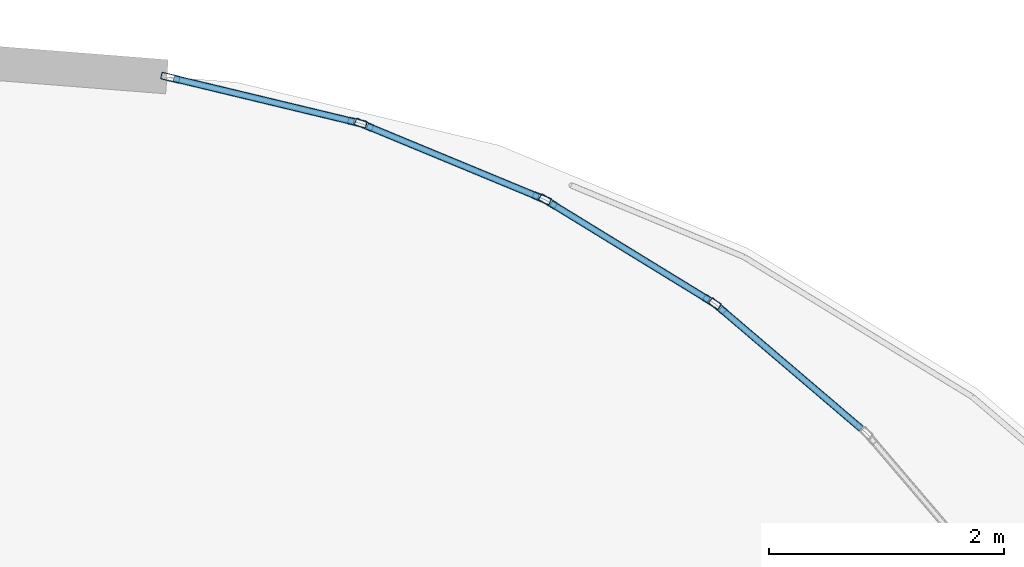
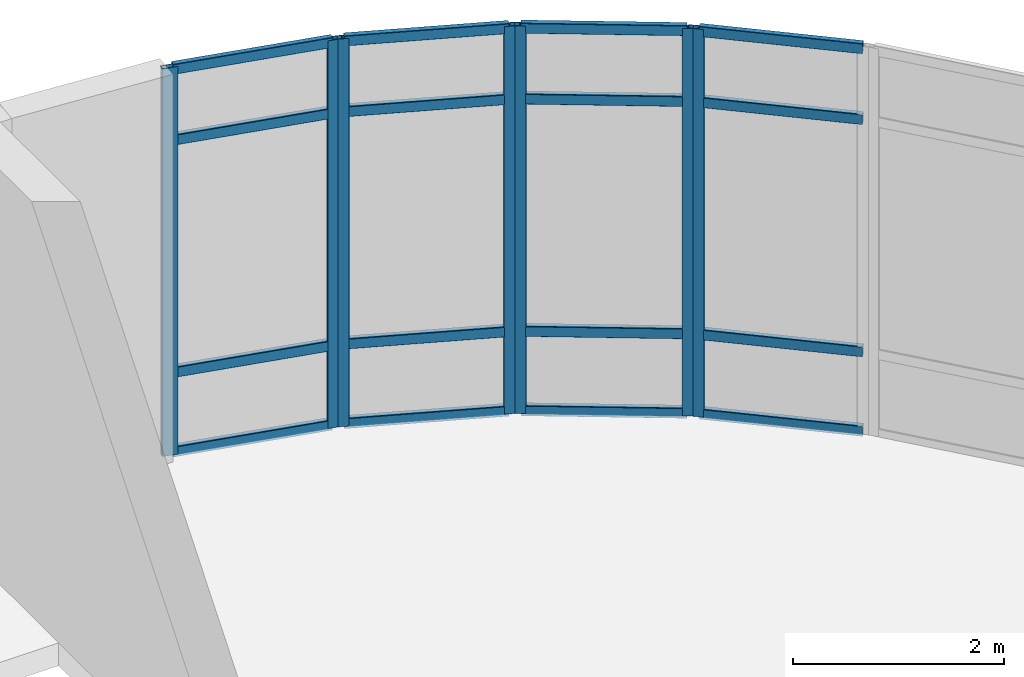
# One storey, part 43 of 64: 23 members, 4 elements without a shape of their own.
"""IFC4 building model written with IfcOpenShell, lengths in metres."""

import ifcopenshell
import ifcopenshell.guid

model = None  # the IFC model being written
_history = None  # IfcOwnerHistory: only IFC2X3 demands one
_inside = {}  # id of a spatial element -> (the spatial element, [elements in it])
_under = {}  # id of a project, library or spatial element -> (it, [spatial elements below it])
_declared = {}  # id of a project -> (the project, [libraries it declares])
_typed = {}  # id of a type object -> (the type object, [elements of that type])
_made_of = {}  # id of a material, layer set ... -> (it, [elements and type objects made of it])


def new_model(schema):
    """Start an empty IFC model of exactly this schema.

    Asked for "IFC4X3", IfcOpenShell would pick the latest addendum, in which some entities
    have other attributes; the version numbers below select the first issue.
    IFC2X3 requires an IfcOwnerHistory on every rooted entity: one is made here for all.
    """
    global model, _history
    if schema == "IFC4X3":
        model = ifcopenshell.file(schema_version=(4, 3, 0, 0))
    else:
        model = ifcopenshell.file(schema=schema)
    _inside.clear()
    _under.clear()
    _declared.clear()
    _typed.clear()
    _made_of.clear()
    _history = None
    if model.schema == "IFC2X3":
        org = make("IfcOrganization", Name="unknown")
        user = make(
            "IfcPersonAndOrganization",
            ThePerson=make("IfcPerson", FamilyName="unknown"),
            TheOrganization=org,
        )
        app = make(
            "IfcApplication",
            ApplicationDeveloper=org,
            Version="unknown",
            ApplicationFullName="unknown",
            ApplicationIdentifier="unknown",
        )
        _history = make(
            "IfcOwnerHistory",
            OwningUser=user,
            OwningApplication=app,
            ChangeAction="ADDED",
            CreationDate=0,
        )
    return model


def make(cls, **values):
    """One entity of the class cls with the attributes given. An attribute that is None is left unset."""
    return model.create_entity(
        cls, **{name: value for name, value in values.items() if value is not None}
    )


def rooted(cls, **values):
    """An entity with a GlobalId (a new one), such as an element, a storey or a relation."""
    return make(cls, GlobalId=ifcopenshell.guid.new(), OwnerHistory=_history, **values)


def si_unit(unit_type, name, prefix=None):
    """IfcSIUnit, for example si_unit("LENGTHUNIT", "METRE", prefix="MILLI")."""
    return make("IfcSIUnit", UnitType=unit_type, Prefix=prefix, Name=name)


def derived_unit(unit_type, elements):
    """IfcDerivedUnit: a product of units, each with its exponent."""
    return make(
        "IfcDerivedUnit",
        Elements=[
            make("IfcDerivedUnitElement", Unit=unit, Exponent=power)
            for unit, power in elements
        ],
        UnitType=unit_type,
    )


def assignment(units):
    """IfcUnitAssignment: the units of a project."""
    return None if units is None else make("IfcUnitAssignment", Units=units)


def point(xyz):
    """IfcCartesianPoint."""
    return None if xyz is None else make("IfcCartesianPoint", Coordinates=xyz)


def direction(xyz):
    """IfcDirection."""
    return None if xyz is None else make("IfcDirection", DirectionRatios=xyz)


def frame(location, z_axis=None, x_axis=None):
    """IfcAxis2Placement3D, a coordinate frame: its origin and axes. An axis left out is left unset."""
    return make(
        "IfcAxis2Placement3D",
        Location=point(location),
        Axis=direction(z_axis),
        RefDirection=direction(x_axis),
    )


def frame_2d(location, x_axis=None):
    """IfcAxis2Placement2D, a coordinate frame in the plane: its origin and x axis."""
    return make(
        "IfcAxis2Placement2D", Location=point(location), RefDirection=direction(x_axis)
    )


def origin():
    """The frame at (0, 0, 0) with its axes left unset."""
    return frame((0.0, 0.0, 0.0))


def origin_2d():
    """The frame at (0, 0) in the plane with its x axis left unset."""
    return frame_2d((0.0, 0.0))


def place(relative_to, where):
    """IfcLocalPlacement: puts the frame where relative to a parent placement (None: the world)."""
    return make(
        "IfcLocalPlacement", PlacementRelTo=relative_to, RelativePlacement=where
    )


def context(
    kind, dimensions, precision=None, world=None, true_north=None, identifier=None
):
    """IfcGeometricRepresentationContext, for example the 3D "Model" context."""
    return make(
        "IfcGeometricRepresentationContext",
        ContextIdentifier=identifier,
        ContextType=kind,
        CoordinateSpaceDimension=dimensions,
        Precision=precision,
        WorldCoordinateSystem=world,
        TrueNorth=true_north,
    )


def subcontext(parent, identifier, kind, view, scale=None):
    """IfcGeometricRepresentationSubContext, for example "Body" below "Model"."""
    return make(
        "IfcGeometricRepresentationSubContext",
        ContextIdentifier=identifier,
        ContextType=kind,
        ParentContext=parent,
        TargetScale=scale,
        TargetView=view,
    )


def project(units=None, contexts=None):
    """IfcProject with its units and contexts."""
    return rooted(
        "IfcProject",
        Name="project",
        RepresentationContexts=contexts,
        UnitsInContext=assignment(units),
    )


def spatial(cls, under=None, at=None, **own):
    """A site, building, storey or space (cls), placed at a placement, below another one or the project."""
    s = rooted(cls, ObjectPlacement=at, **own)
    if under is not None:
        _under.setdefault(under.id(), (under, []))[1].append(s)
    return s


def profile(cls, at=None, kind="AREA", **sizes):
    """A parametric profile (cls). Its sizes go by their IFC names, for example OverallWidth=200.0."""
    return make(cls, ProfileType=kind, Position=at, **sizes)


def hollow_rectangle(**sizes):
    """IfcRectangleHollowProfileDef."""
    return profile("IfcRectangleHollowProfileDef", **sizes)


def extrude(swept, where, along, depth):
    """IfcExtrudedAreaSolid: the profile swept, set in the frame where, extruded along a direction by depth."""
    return make(
        "IfcExtrudedAreaSolid",
        SweptArea=swept,
        Position=where,
        ExtrudedDirection=direction(along),
        Depth=depth,
    )


def shape(context_of_items, identifier, shape_type, items):
    """IfcShapeRepresentation: the items that make up one representation, for example the "Body"."""
    return make(
        "IfcShapeRepresentation",
        ContextOfItems=context_of_items,
        RepresentationIdentifier=identifier,
        RepresentationType=shape_type,
        Items=items,
    )


def material(Name=None, Category=None):
    """IfcMaterial."""
    return make("IfcMaterial", Name=Name, Category=Category)


def layer(
    of_material, thickness, ventilated=None, Name=None, Category=None, Priority=None
):
    """IfcMaterialLayer: one layer of a wall or slab, of a material (None: an air gap)."""
    return make(
        "IfcMaterialLayer",
        Material=of_material,
        LayerThickness=thickness,
        IsVentilated=ventilated,
        Name=Name,
        Category=Category,
        Priority=Priority,
    )


def layer_set(layers, Name=None):
    """IfcMaterialLayerSet."""
    return make("IfcMaterialLayerSet", MaterialLayers=layers, LayerSetName=Name)


def material_profile(
    of_material, cross_section, Name=None, Category=None, Priority=None
):
    """IfcMaterialProfile: a cross section and its material."""
    return make(
        "IfcMaterialProfile",
        Name=Name,
        Material=of_material,
        Profile=cross_section,
        Priority=Priority,
        Category=Category,
    )


def profile_set(profiles, Name=None, composite=None):
    """IfcMaterialProfileSet."""
    return make(
        "IfcMaterialProfileSet",
        Name=Name,
        MaterialProfiles=profiles,
        CompositeProfile=composite,
    )


def made_of(thing, what):
    """Note that an element or type object is made of a material, layer set ...; save() writes the relation."""
    if what is not None:
        _made_of.setdefault(what.id(), (what, []))[1].append(thing)
    return thing


def type_object(cls, material=None, **own):
    """A type object (cls), such as IfcWallType, which elements share."""
    return made_of(rooted(cls, **own), material)


def element(
    cls,
    number,
    at=None,
    inside=None,
    cuts=None,
    type_object=None,
    material=None,
    context=None,
    identifier="Body",
    shape_type=None,
    held_by="IfcProductDefinitionShape",
    body=None,
    shapes=None,
    **own,
):
    """One element of the class cls, such as IfcWall. Its Tag is "e" and its number.

    at: its placement. inside: the storey or other place that contains it. cuts: it is an
    opening in that element (IfcRelVoidsElement). A single representation is given by context,
    identifier, shape_type and body (its items); several are given by shapes. held_by: the class
    of the entity that holds the representations. save() writes the other relations.
    """
    e = rooted(cls, Tag="e%d" % number, ObjectPlacement=at, **own)
    if body is not None:
        shapes = [shape(context, identifier, shape_type, body)]
    if shapes is not None:
        e.Representation = make(held_by, Representations=shapes)
    if inside is not None:
        _inside.setdefault(inside.id(), (inside, []))[1].append(e)
    if cuts is not None:
        rooted(
            "IfcRelVoidsElement", RelatingBuildingElement=cuts, RelatedOpeningElement=e
        )
    if type_object is not None:
        _typed.setdefault(type_object.id(), (type_object, []))[1].append(e)
    return made_of(e, material)


def aggregate(whole, parts):
    """IfcRelAggregates: a whole, such as a stair, and the parts it consists of."""
    return rooted("IfcRelAggregates", RelatingObject=whole, RelatedObjects=parts)


def save(model, path):
    """Write the relations noted so far, then the file.

    IfcRelAggregates (storeys below a building ...), IfcRelContainedInSpatialStructure (elements
    in a storey), IfcRelDefinesByType, IfcRelAssociatesMaterial and IfcRelDeclares: one each for
    every whole, place, type object, material and project.
    """
    for whole, parts in _under.values():
        aggregate(whole, parts)
    for where, things in _inside.values():
        rooted(
            "IfcRelContainedInSpatialStructure",
            RelatedElements=things,
            RelatingStructure=where,
        )
    for kind, things in _typed.values():
        rooted("IfcRelDefinesByType", RelatedObjects=things, RelatingType=kind)
    for what, things in _made_of.values():
        rooted("IfcRelAssociatesMaterial", RelatedObjects=things, RelatingMaterial=what)
    for by, libraries in _declared.values():
        rooted("IfcRelDeclares", RelatingContext=by, RelatedDefinitions=libraries)
    model.write(path)


model = new_model("IFC4")

# Units and contexts
model_context = context("Model", 3, precision=1e-05, world=origin(), true_north=direction((0.0, 1.0)))
body_context = subcontext(model_context, "Body", "Model", "MODEL_VIEW")
ifc_project = project(units=[si_unit("LENGTHUNIT", "METRE"), si_unit("AREAUNIT", "SQUARE_METRE"), si_unit("VOLUMEUNIT", "CUBIC_METRE"), si_unit("PLANEANGLEUNIT", "RADIAN"), si_unit("MASSUNIT", "GRAM", prefix="KILO"), derived_unit("THERMALTRANSMITTANCEUNIT", [(si_unit("MASSUNIT", "GRAM", prefix="KILO"), 1), (si_unit("TIMEUNIT", "SECOND"), -3), (si_unit("THERMODYNAMICTEMPERATUREUNIT", "KELVIN"), -1)])], contexts=[model_context])

# Site, building, storey
site_placement = place(None, origin())
site = spatial("IfcSite", under=ifc_project, at=site_placement, CompositionType="ELEMENT")
building_placement = place(site_placement, origin())
building = spatial("IfcBuilding", under=site, at=building_placement, Name="Qinzheling Arcade Emporium", CompositionType="ELEMENT")
storey_placement = place(building_placement, frame((0.0, 0.0, 31.5)))
storey = spatial("IfcBuildingStorey", under=building, at=storey_placement, Name="L07", CompositionType="ELEMENT", Elevation=31.5)

# Curtain wall, members
ifc_material_1 = material(Name="Anodised aluminium and solar-control double glazing", Category="aluminium")
ifc_layer = layer(ifc_material_1, 0.159912109375, Name="Anodised aluminium and solar-control double glazing", Category="aluminium")
ifc_layer_set = layer_set([ifc_layer], Name="Anodised aluminium and solar-control double glazing")
curtain_wall_type = type_object("IfcCurtainWallType", Name="Curved Ribbon Sales Curtain Wall", PredefinedType="NOTDEFINED", material=ifc_layer_set)
curtain_wall_1_placement = place(storey_placement, origin())
curtain_wall_1 = element("IfcCurtainWall", 1, at=curtain_wall_1_placement, inside=storey, type_object=curtain_wall_type, Name="Curtain Wall CW-L07-433", PredefinedType="NOTDEFINED")
ifc_material_2 = material(Name="Anodised aluminium 6063-T6", Category="aluminium")
ifc_material_profile_1 = material_profile(ifc_material_2, hollow_rectangle(XDim=0.06005859375, YDim=0.159912109375, WallThickness=0.00390625, InnerFilletRadius=0.00390625, OuterFilletRadius=0.008056640625, at=origin_2d()), Name="RHS 160x60x4", Category="aluminium")
ifc_profile_set_1 = profile_set([ifc_material_profile_1], Name="Anodised aluminium 6063-T6")
member_type_1 = type_object("IfcMemberType", Name="Curtain Wall Mullion RHS160x60", PredefinedType="MULLION", material=ifc_profile_set_1)
member_1_placement = place(storey_placement, frame((122.318115234375, 106.659912109375, 0.0), z_axis=(0.0, 0.0, 1.0), x_axis=(0.233640720545, 0.97232299865, 0.0)))
member_1 = element("IfcMember", 2, at=member_1_placement, type_object=member_type_1, Name="CW02 mullion 1", PredefinedType="MULLION", context=body_context, shape_type="SweptSolid", body=[
    extrude(hollow_rectangle(XDim=0.06005859375, YDim=0.159912109375, WallThickness=0.00390625, InnerFilletRadius=0.00390625, OuterFilletRadius=0.008056640625, at=origin_2d()), origin(), (0.0, 0.0, 1.0), 4.489990234375),
])
member_2_placement = place(storey_placement, frame((123.90771484375, 106.278076171875, 0.0), z_axis=(0.0, 0.0, 1.0), x_axis=(0.233640720545, 0.97232299865, 0.0)))
member_2 = element("IfcMember", 3, at=member_2_placement, type_object=member_type_1, Name="CW02 mullion 2", PredefinedType="MULLION", context=body_context, shape_type="SweptSolid", body=[
    extrude(hollow_rectangle(XDim=0.06005859375, YDim=0.159912109375, WallThickness=0.00390625, InnerFilletRadius=0.00390625, OuterFilletRadius=0.008056640625, at=origin_2d()), origin(), (0.0, 0.0, 1.0), 4.489990234375),
])

curtain_wall_2_placement = place(storey_placement, origin())
curtain_wall_2 = element("IfcCurtainWall", 4, at=curtain_wall_2_placement, inside=storey, type_object=curtain_wall_type, Name="Curtain Wall CW-L07-434", PredefinedType="NOTDEFINED")
member_3_placement = place(storey_placement, frame((123.964599609375, 106.259521484375, 0.0), z_axis=(0.0, 0.0, 1.0), x_axis=(0.382351792725, 0.924016832423, 0.0)))
member_3 = element("IfcMember", 5, at=member_3_placement, type_object=member_type_1, Name="CW02 mullion 1", PredefinedType="MULLION", context=body_context, shape_type="SweptSolid", body=[
    extrude(hollow_rectangle(XDim=0.06005859375, YDim=0.159912109375, WallThickness=0.00390625, InnerFilletRadius=0.00390625, OuterFilletRadius=0.008056640625, at=origin_2d()), origin(), (0.0, 0.0, 1.0), 4.489990234375),
])
member_4_placement = place(storey_placement, frame((125.475341796875, 105.634521484375, 0.0), z_axis=(0.0, 0.0, 1.0), x_axis=(0.382351792725, 0.924016832423, 0.0)))
member_4 = element("IfcMember", 6, at=member_4_placement, type_object=member_type_1, Name="CW02 mullion 2", PredefinedType="MULLION", context=body_context, shape_type="SweptSolid", body=[
    extrude(hollow_rectangle(XDim=0.06005859375, YDim=0.159912109375, WallThickness=0.00390625, InnerFilletRadius=0.00390625, OuterFilletRadius=0.008056640625, at=origin_2d()), origin(), (0.0, 0.0, 1.0), 4.489990234375),
])

curtain_wall_3_placement = place(storey_placement, origin())
curtain_wall_3 = element("IfcCurtainWall", 7, at=curtain_wall_3_placement, inside=storey, type_object=curtain_wall_type, Name="Curtain Wall CW-L07-435", PredefinedType="NOTDEFINED")
member_5_placement = place(storey_placement, frame((125.528564453125, 105.607421875, 0.0), z_axis=(0.0, 0.0, 1.0), x_axis=(0.522714228187, 0.852507968087, 0.0)))
member_5 = element("IfcMember", 8, at=member_5_placement, type_object=member_type_1, Name="CW02 mullion 1", PredefinedType="MULLION", context=body_context, shape_type="SweptSolid", body=[
    extrude(hollow_rectangle(XDim=0.06005859375, YDim=0.159912109375, WallThickness=0.00390625, InnerFilletRadius=0.00390625, OuterFilletRadius=0.008056640625, at=origin_2d()), origin(), (0.0, 0.0, 1.0), 4.489990234375),
])
member_6_placement = place(storey_placement, frame((126.92236328125, 104.752685546875, 0.0), z_axis=(0.0, 0.0, 1.0), x_axis=(0.522714228187, 0.852507968087, 0.0)))
member_6 = element("IfcMember", 9, at=member_6_placement, type_object=member_type_1, Name="CW02 mullion 2", PredefinedType="MULLION", context=body_context, shape_type="SweptSolid", body=[
    extrude(hollow_rectangle(XDim=0.06005859375, YDim=0.159912109375, WallThickness=0.00390625, InnerFilletRadius=0.00390625, OuterFilletRadius=0.008056640625, at=origin_2d()), origin(), (0.0, 0.0, 1.0), 4.489990234375),
])

# Curtain wall, member
curtain_wall_4_placement = place(storey_placement, origin())
curtain_wall_4 = element("IfcCurtainWall", 10, at=curtain_wall_4_placement, inside=storey, type_object=curtain_wall_type, Name="Curtain Wall CW-L07-436", PredefinedType="NOTDEFINED")
member_7_placement = place(storey_placement, frame((126.970703125, 104.717529296875, 0.0), z_axis=(0.0, 0.0, 1.0), x_axis=(0.64913748237, 0.760671104343, 0.0)))
member_7 = element("IfcMember", 11, at=member_7_placement, type_object=member_type_1, Name="CW02 mullion 1", PredefinedType="MULLION", context=body_context, shape_type="SweptSolid", body=[
    extrude(hollow_rectangle(XDim=0.06005859375, YDim=0.159912109375, WallThickness=0.00390625, InnerFilletRadius=0.00390625, OuterFilletRadius=0.008056640625, at=origin_2d()), origin(), (0.0, 0.0, 1.0), 4.489990234375),
])

# Member
ifc_material_profile_2 = material_profile(ifc_material_2, hollow_rectangle(XDim=0.06005859375, YDim=0.1201171875, WallThickness=0.00390625, InnerFilletRadius=0.00390625, OuterFilletRadius=0.008056640625, at=origin_2d()), Name="RHS 120x60x4", Category="aluminium")
ifc_profile_set_2 = profile_set([ifc_material_profile_2], Name="Anodised aluminium 6063-T6")
member_type_2 = type_object("IfcMemberType", Name="Curtain Wall Transom RHS120x60", PredefinedType="USERDEFINED", material=ifc_profile_set_2)
member_8_placement = place(storey_placement, frame((122.347412109375, 106.653076171875, 0.030029296875), z_axis=(0.972291534079, -0.233771625222, 0.0), x_axis=(0.233771625222, 0.972291534079, 0.0)))
member_8 = element("IfcMember", 12, at=member_8_placement, type_object=member_type_2, Name="CW02 transom 1.1", ObjectType="TRANSOM", PredefinedType="USERDEFINED", context=body_context, shape_type="SweptSolid", body=[
    extrude(hollow_rectangle(XDim=0.06005859375, YDim=0.1201171875, WallThickness=0.00390625, InnerFilletRadius=0.00390625, OuterFilletRadius=0.008056640625, at=origin_2d()), origin(), (0.0, 0.0, 1.0), 1.574951171875),
])

member_9_placement = place(storey_placement, frame((122.347412109375, 106.653076171875, 0.949951171875), z_axis=(0.972291534079, -0.233771625222, 0.0), x_axis=(0.233771625222, 0.972291534079, 0.0)))
member_9 = element("IfcMember", 13, at=member_9_placement, type_object=member_type_2, Name="CW02 transom 1.2", ObjectType="TRANSOM", PredefinedType="USERDEFINED", context=body_context, shape_type="SweptSolid", body=[
    extrude(hollow_rectangle(XDim=0.06005859375, YDim=0.1201171875, WallThickness=0.00390625, InnerFilletRadius=0.00390625, OuterFilletRadius=0.008056640625, at=origin_2d()), origin(), (0.0, 0.0, 1.0), 1.574951171875),
])

member_10_placement = place(storey_placement, frame((122.347412109375, 106.653076171875, 3.639892578125), z_axis=(0.972291534079, -0.233771625222, 0.0), x_axis=(0.233771625222, 0.972291534079, 0.0)))
member_10 = element("IfcMember", 14, at=member_10_placement, type_object=member_type_2, Name="CW02 transom 1.3", ObjectType="TRANSOM", PredefinedType="USERDEFINED", context=body_context, shape_type="SweptSolid", body=[
    extrude(hollow_rectangle(XDim=0.06005859375, YDim=0.1201171875, WallThickness=0.00390625, InnerFilletRadius=0.00390625, OuterFilletRadius=0.008056640625, at=origin_2d()), origin(), (0.0, 0.0, 1.0), 1.574951171875),
])

member_11_placement = place(storey_placement, frame((122.347412109375, 106.653076171875, 4.4599609375), z_axis=(0.972291534079, -0.233771625222, 0.0), x_axis=(0.233771625222, 0.972291534079, 0.0)))
member_11 = element("IfcMember", 15, at=member_11_placement, type_object=member_type_2, Name="CW02 transom 1.4", ObjectType="TRANSOM", PredefinedType="USERDEFINED", context=body_context, shape_type="SweptSolid", body=[
    extrude(hollow_rectangle(XDim=0.06005859375, YDim=0.1201171875, WallThickness=0.00390625, InnerFilletRadius=0.00390625, OuterFilletRadius=0.008056640625, at=origin_2d()), origin(), (0.0, 0.0, 1.0), 1.574951171875),
])

aggregate(curtain_wall_1, [member_1, member_2, member_8, member_9, member_10, member_11])

member_12_placement = place(storey_placement, frame((123.992431640625, 106.248046875, 0.030029296875), z_axis=(0.924028164764, -0.382324405085, 0.0), x_axis=(0.382324405085, 0.924028164764, 0.0)))
member_12 = element("IfcMember", 16, at=member_12_placement, type_object=member_type_2, Name="CW02 transom 1.1", ObjectType="TRANSOM", PredefinedType="USERDEFINED", context=body_context, shape_type="SweptSolid", body=[
    extrude(hollow_rectangle(XDim=0.06005859375, YDim=0.1201171875, WallThickness=0.00390625, InnerFilletRadius=0.00390625, OuterFilletRadius=0.008056640625, at=origin_2d()), origin(), (0.0, 0.0, 1.0), 1.57470703125),
])

member_13_placement = place(storey_placement, frame((123.992431640625, 106.248046875, 0.949951171875), z_axis=(0.924028164764, -0.382324405085, 0.0), x_axis=(0.382324405085, 0.924028164764, 0.0)))
member_13 = element("IfcMember", 17, at=member_13_placement, type_object=member_type_2, Name="CW02 transom 1.2", ObjectType="TRANSOM", PredefinedType="USERDEFINED", context=body_context, shape_type="SweptSolid", body=[
    extrude(hollow_rectangle(XDim=0.06005859375, YDim=0.1201171875, WallThickness=0.00390625, InnerFilletRadius=0.00390625, OuterFilletRadius=0.008056640625, at=origin_2d()), origin(), (0.0, 0.0, 1.0), 1.57470703125),
])

member_14_placement = place(storey_placement, frame((123.992431640625, 106.248046875, 3.639892578125), z_axis=(0.924028164764, -0.382324405085, 0.0), x_axis=(0.382324405085, 0.924028164764, 0.0)))
member_14 = element("IfcMember", 18, at=member_14_placement, type_object=member_type_2, Name="CW02 transom 1.3", ObjectType="TRANSOM", PredefinedType="USERDEFINED", context=body_context, shape_type="SweptSolid", body=[
    extrude(hollow_rectangle(XDim=0.06005859375, YDim=0.1201171875, WallThickness=0.00390625, InnerFilletRadius=0.00390625, OuterFilletRadius=0.008056640625, at=origin_2d()), origin(), (0.0, 0.0, 1.0), 1.57470703125),
])

member_15_placement = place(storey_placement, frame((123.992431640625, 106.248046875, 4.4599609375), z_axis=(0.924028164764, -0.382324405085, 0.0), x_axis=(0.382324405085, 0.924028164764, 0.0)))
member_15 = element("IfcMember", 19, at=member_15_placement, type_object=member_type_2, Name="CW02 transom 1.4", ObjectType="TRANSOM", PredefinedType="USERDEFINED", context=body_context, shape_type="SweptSolid", body=[
    extrude(hollow_rectangle(XDim=0.06005859375, YDim=0.1201171875, WallThickness=0.00390625, InnerFilletRadius=0.00390625, OuterFilletRadius=0.008056640625, at=origin_2d()), origin(), (0.0, 0.0, 1.0), 1.57470703125),
])

aggregate(curtain_wall_2, [member_3, member_4, member_12, member_13, member_14, member_15])

member_16_placement = place(storey_placement, frame((125.55419921875, 105.591552734375, 0.030029296875), z_axis=(0.852487601294, -0.522747443456, 0.0), x_axis=(0.522747443456, 0.852487601294, 0.0)))
member_16 = element("IfcMember", 20, at=member_16_placement, type_object=member_type_2, Name="CW02 transom 1.1", ObjectType="TRANSOM", PredefinedType="USERDEFINED", context=body_context, shape_type="SweptSolid", body=[
    extrude(hollow_rectangle(XDim=0.06005859375, YDim=0.1201171875, WallThickness=0.00390625, InnerFilletRadius=0.00390625, OuterFilletRadius=0.008056640625, at=origin_2d()), origin(), (0.0, 0.0, 1.0), 1.574951171875),
])

member_17_placement = place(storey_placement, frame((125.55419921875, 105.591552734375, 0.949951171875), z_axis=(0.852487601294, -0.522747443456, 0.0), x_axis=(0.522747443456, 0.852487601294, 0.0)))
member_17 = element("IfcMember", 21, at=member_17_placement, type_object=member_type_2, Name="CW02 transom 1.2", ObjectType="TRANSOM", PredefinedType="USERDEFINED", context=body_context, shape_type="SweptSolid", body=[
    extrude(hollow_rectangle(XDim=0.06005859375, YDim=0.1201171875, WallThickness=0.00390625, InnerFilletRadius=0.00390625, OuterFilletRadius=0.008056640625, at=origin_2d()), origin(), (0.0, 0.0, 1.0), 1.574951171875),
])

member_18_placement = place(storey_placement, frame((125.55419921875, 105.591552734375, 3.639892578125), z_axis=(0.852487601294, -0.522747443456, 0.0), x_axis=(0.522747443456, 0.852487601294, 0.0)))
member_18 = element("IfcMember", 22, at=member_18_placement, type_object=member_type_2, Name="CW02 transom 1.3", ObjectType="TRANSOM", PredefinedType="USERDEFINED", context=body_context, shape_type="SweptSolid", body=[
    extrude(hollow_rectangle(XDim=0.06005859375, YDim=0.1201171875, WallThickness=0.00390625, InnerFilletRadius=0.00390625, OuterFilletRadius=0.008056640625, at=origin_2d()), origin(), (0.0, 0.0, 1.0), 1.574951171875),
])

member_19_placement = place(storey_placement, frame((125.55419921875, 105.591552734375, 4.4599609375), z_axis=(0.852487601294, -0.522747443456, 0.0), x_axis=(0.522747443456, 0.852487601294, 0.0)))
member_19 = element("IfcMember", 23, at=member_19_placement, type_object=member_type_2, Name="CW02 transom 1.4", ObjectType="TRANSOM", PredefinedType="USERDEFINED", context=body_context, shape_type="SweptSolid", body=[
    extrude(hollow_rectangle(XDim=0.06005859375, YDim=0.1201171875, WallThickness=0.00390625, InnerFilletRadius=0.00390625, OuterFilletRadius=0.008056640625, at=origin_2d()), origin(), (0.0, 0.0, 1.0), 1.574951171875),
])

aggregate(curtain_wall_3, [member_5, member_6, member_16, member_17, member_18, member_19])

member_20_placement = place(storey_placement, frame((126.99365234375, 104.697998046875, 0.030029296875), z_axis=(0.760721353573, -0.649078594793, 0.0), x_axis=(0.649078594793, 0.760721353573, 0.0)))
member_20 = element("IfcMember", 24, at=member_20_placement, type_object=member_type_2, Name="CW02 transom 1.1", ObjectType="TRANSOM", PredefinedType="USERDEFINED", context=body_context, shape_type="SweptSolid", body=[
    extrude(hollow_rectangle(XDim=0.06005859375, YDim=0.1201171875, WallThickness=0.00390625, InnerFilletRadius=0.00390625, OuterFilletRadius=0.008056640625, at=origin_2d()), origin(), (0.0, 0.0, 1.0), 1.574462890625),
])

member_21_placement = place(storey_placement, frame((126.99365234375, 104.697998046875, 0.949951171875), z_axis=(0.760721353573, -0.649078594793, 0.0), x_axis=(0.649078594793, 0.760721353573, 0.0)))
member_21 = element("IfcMember", 25, at=member_21_placement, type_object=member_type_2, Name="CW02 transom 1.2", ObjectType="TRANSOM", PredefinedType="USERDEFINED", context=body_context, shape_type="SweptSolid", body=[
    extrude(hollow_rectangle(XDim=0.06005859375, YDim=0.1201171875, WallThickness=0.00390625, InnerFilletRadius=0.00390625, OuterFilletRadius=0.008056640625, at=origin_2d()), origin(), (0.0, 0.0, 1.0), 1.574462890625),
])

member_22_placement = place(storey_placement, frame((126.99365234375, 104.697998046875, 3.639892578125), z_axis=(0.760721353573, -0.649078594793, 0.0), x_axis=(0.649078594793, 0.760721353573, 0.0)))
member_22 = element("IfcMember", 26, at=member_22_placement, type_object=member_type_2, Name="CW02 transom 1.3", ObjectType="TRANSOM", PredefinedType="USERDEFINED", context=body_context, shape_type="SweptSolid", body=[
    extrude(hollow_rectangle(XDim=0.06005859375, YDim=0.1201171875, WallThickness=0.00390625, InnerFilletRadius=0.00390625, OuterFilletRadius=0.008056640625, at=origin_2d()), origin(), (0.0, 0.0, 1.0), 1.574462890625),
])

member_23_placement = place(storey_placement, frame((126.99365234375, 104.697998046875, 4.4599609375), z_axis=(0.760721353573, -0.649078594793, 0.0), x_axis=(0.649078594793, 0.760721353573, 0.0)))
member_23 = element("IfcMember", 27, at=member_23_placement, type_object=member_type_2, Name="CW02 transom 1.4", ObjectType="TRANSOM", PredefinedType="USERDEFINED", context=body_context, shape_type="SweptSolid", body=[
    extrude(hollow_rectangle(XDim=0.06005859375, YDim=0.1201171875, WallThickness=0.00390625, InnerFilletRadius=0.00390625, OuterFilletRadius=0.008056640625, at=origin_2d()), origin(), (0.0, 0.0, 1.0), 1.574462890625),
])

aggregate(curtain_wall_4, [member_7, member_20, member_21, member_22, member_23])

save(model, "model.ifc")
